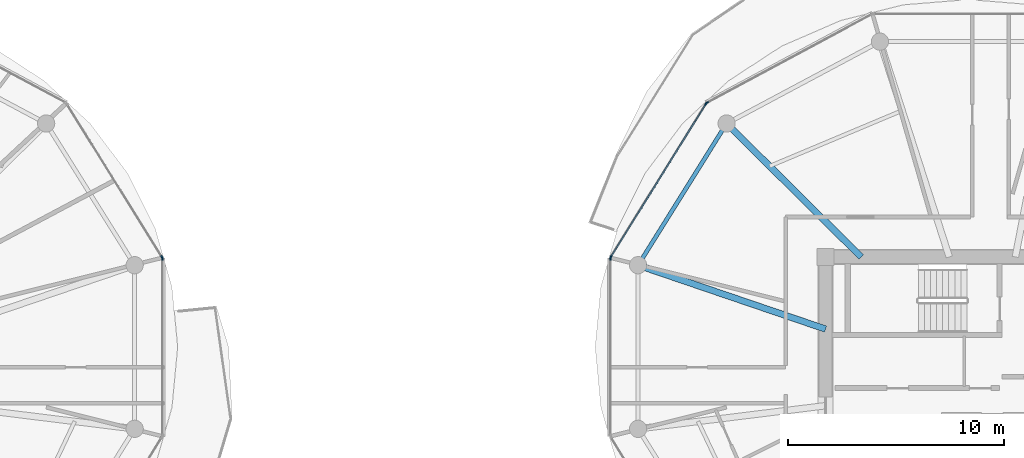
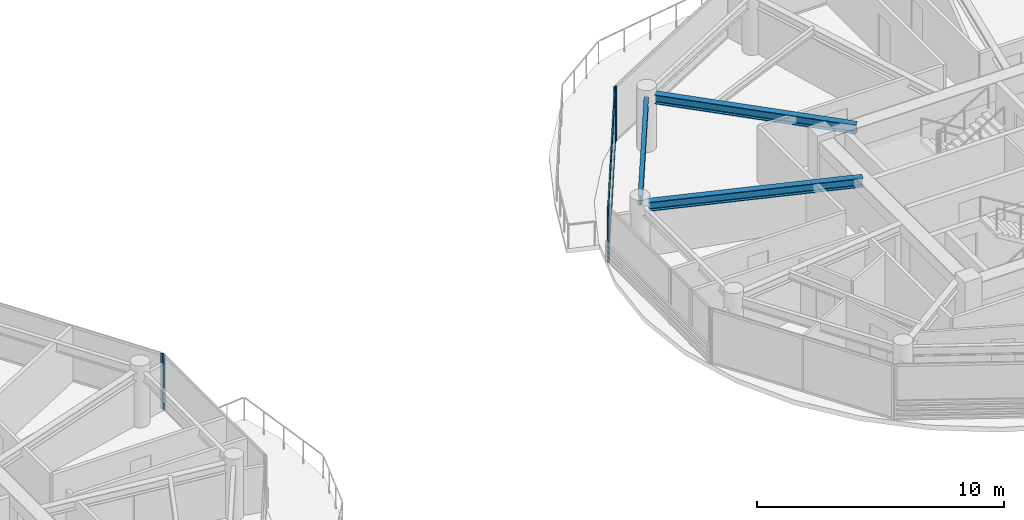
# One storey, part 7 of 22: 8 members, 3 beams, 5 elements without a shape of their own.
"""IFC4 building model written with IfcOpenShell, lengths in metres."""

from ifc_helpers import new_model, si_unit, direction, frame, origin, origin_2d, place, context, subcontext, project, spatial, rectangle, i_section, extrude, source, transform, mapped, material, layer, layer_set, material_profile, profile_set, type_object, type_shapes, element, aggregate, save


model = new_model("IFC4")

# Units and contexts
model_context = context("Model", 3, precision=1e-05, world=origin(), true_north=direction((0.0, 1.0)))
body_context = subcontext(model_context, "Body", "Model", "MODEL_VIEW")
ifc_project = project(units=[si_unit("LENGTHUNIT", "METRE"), si_unit("AREAUNIT", "SQUARE_METRE"), si_unit("VOLUMEUNIT", "CUBIC_METRE"), si_unit("PLANEANGLEUNIT", "RADIAN"), si_unit("MASSUNIT", "GRAM", prefix="KILO")], contexts=[model_context])

# Site, building, storey
site_placement = place(None, origin())
site = spatial("IfcSite", under=ifc_project, at=site_placement, CompositionType="ELEMENT")
building_placement = place(site_placement, origin())
building = spatial("IfcBuilding", under=site, at=building_placement, Name="Norrkilde Senior Care Towers", CompositionType="ELEMENT")
storey_placement = place(building_placement, frame((0.0, 0.0, 183.10009765625)))
storey = spatial("IfcBuildingStorey", under=building, at=storey_placement, Name="L57", CompositionType="ELEMENT", Elevation=183.10009765625)

# Beams
ifc_material_1 = material(Name="Steel S355", Category="steel")
ifc_material_profile_1 = material_profile(ifc_material_1, i_section(OverallWidth=0.18994140625, OverallDepth=0.449951171875, WebThickness=0.009521484375, FlangeThickness=0.0146484375, FilletRadius=0.02099609375, at=origin_2d()), Name="IPE 450")
ifc_profile_set_1 = profile_set([ifc_material_profile_1], Name="Steel S355")
beam_type_1 = type_object("IfcBeamType", Name="Perimeter Ring Spandrel Z3 IPE450", PredefinedType="SPANDREL", material=ifc_profile_set_1)
shared_shape_1 = source(origin(), body_context, "Body", "SweptSolid", [
    extrude(i_section(OverallWidth=0.18994140625, OverallDepth=0.449951171875, WebThickness=0.009521484375, FlangeThickness=0.0146484375, FilletRadius=0.02099609375, at=origin_2d()), origin(), (0.0, 0.0, 1.0), 7.0234375),
])
type_shapes(beam_type_1, [shared_shape_1])
beam_1_placement = place(storey_placement, frame((15.57666015625, 11.8291015625, 2.5048828125), z_axis=(-0.529789577822, -0.848129119433, 0.0), x_axis=(0.848129119433, -0.529789577822, 0.0)))
element("IfcBeam", 1, at=beam_1_placement, inside=storey, type_object=beam_type_1, Name="L57 Drum E Perimeter Spandrel 05", PredefinedType="SPANDREL", context=body_context, shape_type="MappedRepresentation", body=[
    mapped(shared_shape_1, transform((0.0, 0.0, 0.0), x_axis=(1.0, 0.0, 0.0), y_axis=(0.0, 1.0, 0.0), z_axis=(0.0, 0.0, 1.0), scale=1.0)),
])
ifc_material_profile_2 = material_profile(ifc_material_1, i_section(OverallWidth=0.300048828125, OverallDepth=0.449951171875, WebThickness=0.013916015625, FlangeThickness=0.02587890625, FilletRadius=0.027099609375, at=origin_2d()), Name="HEB 450")
ifc_profile_set_2 = profile_set([ifc_material_profile_2], Name="Steel S355")
beam_type_2 = type_object("IfcBeamType", Name="Radial Floor Beam Z3 HEB450", PredefinedType="BEAM", material=ifc_profile_set_2)
shared_shape_2 = source(origin(), body_context, "Body", "SweptSolid", [
    extrude(i_section(OverallWidth=0.300048828125, OverallDepth=0.449951171875, WebThickness=0.013916015625, FlangeThickness=0.02587890625, FilletRadius=0.027099609375, at=origin_2d()), origin(), (0.0, 0.0, 1.0), 8.8154296875),
])
beam_2_placement = place(storey_placement, frame((20.35009765625, 2.607177734375, 2.5048828125), z_axis=(-0.946540556878, 0.322584832539, 0.0), x_axis=(-0.322584832539, -0.946540556878, 0.0)))
element("IfcBeam", 2, at=beam_2_placement, inside=storey, type_object=beam_type_2, Name="L57 Drum E Radial Floor Beam 06", PredefinedType="BEAM", context=body_context, shape_type="MappedRepresentation", body=[
    mapped(shared_shape_2, transform((0.0, 0.0, 0.0), x_axis=(1.0, 0.0, 0.0), y_axis=(0.0, 1.0, 0.0), z_axis=(0.0, 0.0, 1.0), scale=1.0)),
])
shared_shape_3 = source(origin(), body_context, "Body", "SweptSolid", [
    extrude(i_section(OverallWidth=0.300048828125, OverallDepth=0.449951171875, WebThickness=0.013916015625, FlangeThickness=0.02587890625, FilletRadius=0.027099609375, at=origin_2d()), origin(), (0.0, 0.0, 1.0), 8.421630859375),
])
type_shapes(beam_type_2, [shared_shape_2, shared_shape_3])
beam_3_placement = place(storey_placement, frame((22.001953125, 5.949951171875, 2.5048828125), z_axis=(-0.709956495972, 0.704245535184, 0.0), x_axis=(-0.704245535184, -0.709956495972, 0.0)))
element("IfcBeam", 3, at=beam_3_placement, inside=storey, type_object=beam_type_2, Name="L57 Drum E Radial Floor Beam 05", PredefinedType="BEAM", context=body_context, shape_type="MappedRepresentation", body=[
    mapped(shared_shape_3, transform((0.0, 0.0, 0.0), x_axis=(1.0, 0.0, 0.0), y_axis=(0.0, 1.0, 0.0), z_axis=(0.0, 0.0, 1.0), scale=1.0)),
])

# Curtain wall, members
ifc_material_2 = material(Name="Triple Low-E Insulated Glazing", Category="glass")
ifc_layer = layer(ifc_material_2, 0.18994140625)
ifc_layer_set = layer_set([ifc_layer], Name="Triple Low-E Insulated Glazing")
curtain_wall_type = type_object("IfcCurtainWallType", Name="CW4 Zone 3 Senior Residence Curtain Wall", PredefinedType="NOTDEFINED", material=ifc_layer_set)
curtain_wall_1_placement = place(storey_placement, origin())
curtain_wall_1 = element("IfcCurtainWall", 4, at=curtain_wall_1_placement, inside=storey, type_object=curtain_wall_type, Name="L57 Drum E Curtain Wall 04", PredefinedType="NOTDEFINED")
ifc_material_3 = material(Name="Anodised Aluminium", Category="aluminium")
ifc_material_profile_3 = material_profile(ifc_material_3, rectangle(XDim=0.06005859375, YDim=0.1201171875, at=origin_2d()), Name="ALU TRAN 60x120")
ifc_profile_set_3 = profile_set([ifc_material_profile_3], Name="Anodised Aluminium")
member_type_1 = type_object("IfcMemberType", Name="Curtain Wall Transom Typical 60x120", PredefinedType="USERDEFINED", material=ifc_profile_set_3)
shared_shape_4 = source(origin(), body_context, "Body", "SweptSolid", [
    extrude(rectangle(XDim=0.06005859375, YDim=0.1201171875, at=origin_2d()), origin(), (0.0, 0.0, 1.0), 8.301513671875),
])
type_shapes(member_type_1, [shared_shape_4])
member_1_placement = place(storey_placement, frame((10.414794921875, 5.966552734375, 0.02978515625), z_axis=(0.527368718394, 0.849636531029, 0.0), x_axis=(-0.849636531029, 0.527368718394, 0.0)))
member_1 = element("IfcMember", 5, at=member_1_placement, type_object=member_type_1, Name="CW-4 transom 1.1", ObjectType="TRANSOM", PredefinedType="USERDEFINED", context=body_context, shape_type="MappedRepresentation", body=[
    mapped(shared_shape_4, transform((0.0, 0.0, 0.0), x_axis=(1.0, 0.0, 0.0), y_axis=(0.0, 1.0, 0.0), z_axis=(0.0, 0.0, 1.0), scale=1.0)),
])
member_2_placement = place(storey_placement, frame((10.414794921875, 5.966552734375, 2.699951171875), z_axis=(0.527368718394, 0.849636531029, 0.0), x_axis=(-0.849636531029, 0.527368718394, 0.0)))
member_2 = element("IfcMember", 6, at=member_2_placement, type_object=member_type_1, Name="CW-4 transom 1.2", ObjectType="TRANSOM", PredefinedType="USERDEFINED", context=body_context, shape_type="MappedRepresentation", body=[
    mapped(shared_shape_4, transform((0.0, 0.0, 0.0), x_axis=(1.0, 0.0, 0.0), y_axis=(0.0, 1.0, 0.0), z_axis=(0.0, 0.0, 1.0), scale=1.0)),
])

# Curtain wall, member
curtain_wall_2_placement = place(storey_placement, origin())
curtain_wall_2 = element("IfcCurtainWall", 7, at=curtain_wall_2_placement, inside=storey, type_object=curtain_wall_type, Name="L57 Drum W Curtain Wall 00", PredefinedType="NOTDEFINED")
ifc_material_profile_4 = material_profile(ifc_material_3, rectangle(XDim=0.06494140625, YDim=0.14990234375, at=origin_2d()), Name="ALU MULL 65x150")
ifc_profile_set_4 = profile_set([ifc_material_profile_4], Name="Anodised Aluminium")
member_type_2 = type_object("IfcMemberType", Name="Curtain Wall Mullion Z3-Z4 65x150", PredefinedType="MULLION", material=ifc_profile_set_4)
shared_shape_5 = source(origin(), body_context, "Body", "SweptSolid", [
    extrude(rectangle(XDim=0.06494140625, YDim=0.14990234375, at=origin_2d()), origin(), (0.0, 0.0, 1.0), 2.72998046875),
])
type_shapes(member_type_2, [shared_shape_5])
member_3_placement = place(storey_placement, frame((-10.3974609375, 5.93896484375, 0.0), z_axis=(0.0, 0.0, 1.0), x_axis=(0.84963405474, 0.52737270789, 0.0)))
member_3 = element("IfcMember", 8, at=member_3_placement, type_object=member_type_2, Name="CW-4 mullion 2", PredefinedType="MULLION", context=body_context, shape_type="MappedRepresentation", body=[
    mapped(shared_shape_5, transform((0.0, 0.0, 0.0), x_axis=(1.0, 0.0, 0.0), y_axis=(0.0, 1.0, 0.0), z_axis=(0.0, 0.0, 1.0), scale=1.0)),
])
aggregate(curtain_wall_2, [member_3])

curtain_wall_3_placement = place(storey_placement, origin())
curtain_wall_3 = element("IfcCurtainWall", 9, at=curtain_wall_3_placement, inside=storey, type_object=curtain_wall_type, Name="L57 Drum W Curtain Wall 11", PredefinedType="NOTDEFINED")
member_4_placement = place(storey_placement, frame((-10.38037109375, 5.878662109375, 0.0), z_axis=(0.0, 0.0, 1.0), x_axis=(1.0, 0.0, 0.0)))
member_4 = element("IfcMember", 10, at=member_4_placement, type_object=member_type_2, Name="CW-4 mullion 1", PredefinedType="MULLION", context=body_context, shape_type="MappedRepresentation", body=[
    mapped(shared_shape_5, transform((0.0, 0.0, 0.0), x_axis=(1.0, 0.0, 0.0), y_axis=(0.0, 1.0, 0.0), z_axis=(0.0, 0.0, 1.0), scale=1.0)),
])
aggregate(curtain_wall_3, [member_4])

curtain_wall_4_placement = place(storey_placement, origin())
curtain_wall_4 = element("IfcCurtainWall", 11, at=curtain_wall_4_placement, inside=storey, type_object=curtain_wall_type, Name="L57 Drum E Curtain Wall 03", PredefinedType="NOTDEFINED")
member_5_placement = place(storey_placement, frame((14.85546875, 13.09033203125, 0.0), z_axis=(0.0, 0.0, 1.0), x_axis=(-0.47311715104, 0.880999524059, 0.0)))
member_5 = element("IfcMember", 12, at=member_5_placement, type_object=member_type_2, Name="CW-4 mullion 1", PredefinedType="MULLION", context=body_context, shape_type="MappedRepresentation", body=[
    mapped(shared_shape_5, transform((0.0, 0.0, 0.0), x_axis=(1.0, 0.0, 0.0), y_axis=(0.0, 1.0, 0.0), z_axis=(0.0, 0.0, 1.0), scale=1.0)),
])
aggregate(curtain_wall_4, [member_5])

# Member
member_6_placement = place(storey_placement, frame((10.3974609375, 5.93896484375, 0.0), z_axis=(0.0, 0.0, 1.0), x_axis=(-0.84963405474, 0.52737270789, 0.0)))
member_6 = element("IfcMember", 13, at=member_6_placement, type_object=member_type_2, Name="CW-4 mullion 1", PredefinedType="MULLION", context=body_context, shape_type="MappedRepresentation", body=[
    mapped(shared_shape_5, transform((0.0, 0.0, 0.0), x_axis=(1.0, 0.0, 0.0), y_axis=(0.0, 1.0, 0.0), z_axis=(0.0, 0.0, 1.0), scale=1.0)),
])

member_7_placement = place(storey_placement, frame((14.809814453125, 13.04736328125, 0.0), z_axis=(0.0, 0.0, 1.0), x_axis=(-0.84963405474, 0.52737270789, 0.0)))
member_7 = element("IfcMember", 14, at=member_7_placement, type_object=member_type_2, Name="CW-4 mullion 2", PredefinedType="MULLION", context=body_context, shape_type="MappedRepresentation", body=[
    mapped(shared_shape_5, transform((0.0, 0.0, 0.0), x_axis=(1.0, 0.0, 0.0), y_axis=(0.0, 1.0, 0.0), z_axis=(0.0, 0.0, 1.0), scale=1.0)),
])

aggregate(curtain_wall_1, [member_6, member_7, member_1, member_2])

# Curtain wall, member
curtain_wall_5_placement = place(storey_placement, origin())
curtain_wall_5 = element("IfcCurtainWall", 15, at=curtain_wall_5_placement, inside=storey, type_object=curtain_wall_type, Name="L57 Drum E Curtain Wall 05", PredefinedType="NOTDEFINED")
member_8_placement = place(storey_placement, frame((10.38037109375, 5.878662109375, 0.0), z_axis=(0.0, 0.0, 1.0), x_axis=(-1.0, 0.0, 0.0)))
member_8 = element("IfcMember", 16, at=member_8_placement, type_object=member_type_2, Name="CW-4 mullion 2", PredefinedType="MULLION", context=body_context, shape_type="MappedRepresentation", body=[
    mapped(shared_shape_5, transform((0.0, 0.0, 0.0), x_axis=(1.0, 0.0, 0.0), y_axis=(0.0, 1.0, 0.0), z_axis=(0.0, 0.0, 1.0), scale=1.0)),
])
aggregate(curtain_wall_5, [member_8])

save(model, "model.ifc")
